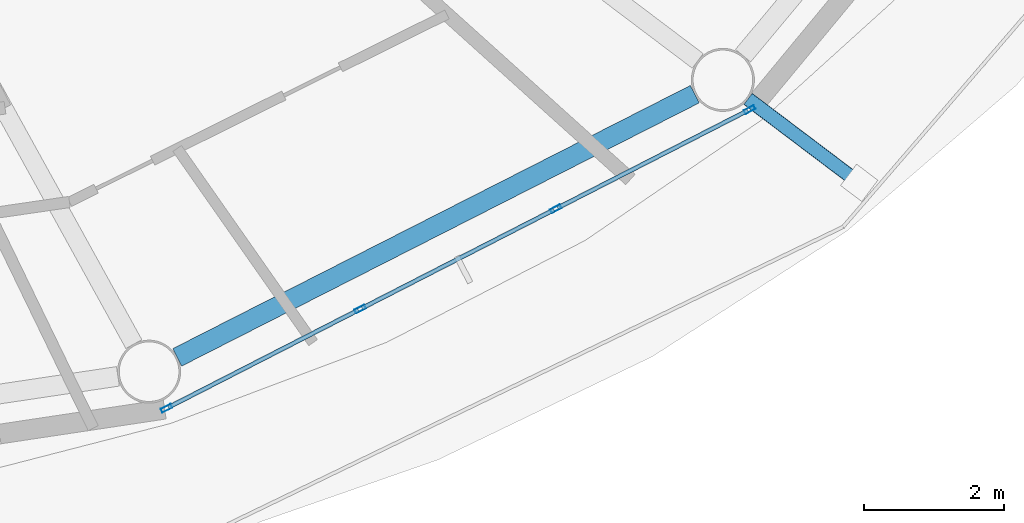
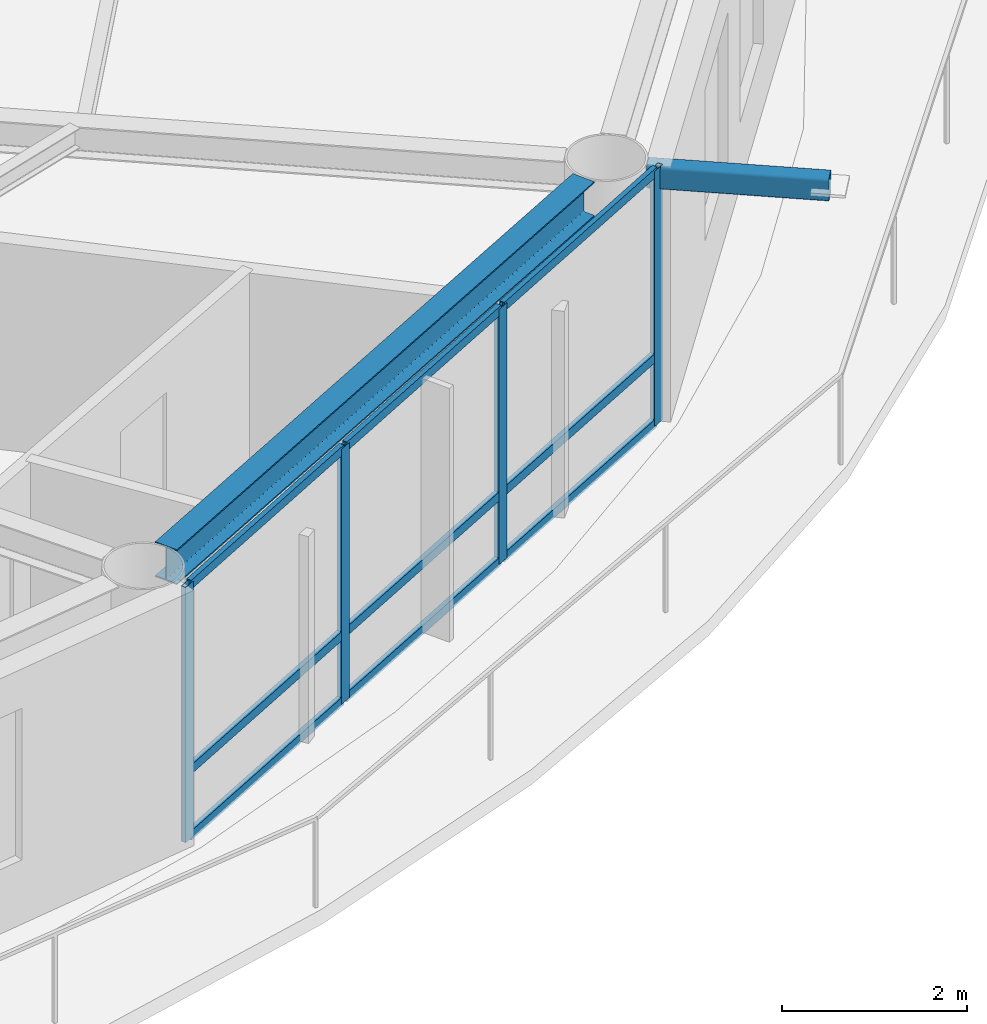
# One storey, part 5 of 22: 14 members, 1 beam, 1 element without a shape of its own.
"""IFC4 building model written with IfcOpenShell, lengths in metres."""

from ifc_helpers import new_model, si_unit, direction, frame, origin, origin_2d, place, context, subcontext, project, spatial, hollow_rectangle, i_section, extrude, material, layer, layer_set, material_profile, profile_set, type_object, element, aggregate, save


model = new_model("IFC4")

# Units and contexts
model_context = context("Model", 3, precision=1e-05, world=origin(), true_north=direction((0.0, 1.0)))
body_context = subcontext(model_context, "Body", "Model", "MODEL_VIEW")
ifc_project = project(units=[si_unit("LENGTHUNIT", "METRE"), si_unit("AREAUNIT", "SQUARE_METRE"), si_unit("VOLUMEUNIT", "CUBIC_METRE"), si_unit("PLANEANGLEUNIT", "RADIAN"), si_unit("MASSUNIT", "GRAM", prefix="KILO")], contexts=[model_context])

# Site, building, storey
site_placement = place(None, origin())
site = spatial("IfcSite", under=ifc_project, at=site_placement, CompositionType="ELEMENT")
building_placement = place(site_placement, origin())
building = spatial("IfcBuilding", under=site, at=building_placement, Name="Sarneth Arch Tower", CompositionType="ELEMENT")
storey_placement = place(building_placement, frame((0.0, 0.0, 294.60009765625)))
storey = spatial("IfcBuildingStorey", under=building, at=storey_placement, Name="L76", CompositionType="ELEMENT", Elevation=294.60009765625)

# Beam
ifc_material_1 = material(Name="Steel S355", Category="steel")
ifc_material_profile_1 = material_profile(ifc_material_1, i_section(OverallWidth=0.280029296875, OverallDepth=0.462890625, WebThickness=0.0107421875, FlangeThickness=0.017333984375, FilletRadius=0.01806640625, at=origin_2d()), Name="W460x113")
ifc_profile_set_1 = profile_set([ifc_material_profile_1], Name="Steel S355")
beam_type = type_object("IfcBeamType", Name="BM-RAD-460A", PredefinedType="BEAM", material=ifc_profile_set_1)
beam_placement = place(storey_placement, frame((58.19189453125, 24.465576171875, 3.138427734375), z_axis=(0.891376248079, 0.453264144138, 0.0), x_axis=(-0.453264144138, 0.891376248079, 0.0)))
element("IfcBeam", 1, at=beam_placement, inside=storey, type_object=beam_type, Name="L76 Perimeter spandrel beam 14", PredefinedType="BEAM", context=body_context, shape_type="SweptSolid", body=[
    extrude(i_section(OverallWidth=0.280029296875, OverallDepth=0.462890625, WebThickness=0.0107421875, FlangeThickness=0.017333984375, FilletRadius=0.01806640625, at=origin_2d()), origin(), (0.0, 0.0, 1.0), 8.281982421875),
])

# Curtain wall, members
ifc_material_2 = material(Name="Anodised aluminium Type AA25 and solar-control low-e laminated IGU", Category="aluminium")
ifc_layer = layer(ifc_material_2, 0.179931640625)
ifc_layer_set = layer_set([ifc_layer], Name="Anodised aluminium Type AA25 and solar-control low-e laminated IGU")
curtain_wall_type = type_object("IfcCurtainWallType", Name="CW-RES-HIGH", PredefinedType="NOTDEFINED", material=ifc_layer_set)
curtain_wall_placement = place(storey_placement, origin())
curtain_wall = element("IfcCurtainWall", 2, at=curtain_wall_placement, inside=storey, type_object=curtain_wall_type, Name="L76 Unitised curtain wall facet 14", PredefinedType="NOTDEFINED")
ifc_material_3 = material(Name="Anodised Aluminium 6063-T6", Category="aluminium")
ifc_material_profile_2 = material_profile(ifc_material_3, hollow_rectangle(XDim=0.06005859375, YDim=0.159912109375, WallThickness=0.00390625, at=origin_2d()), Name="AL-MULL-160x60x4")
ifc_profile_set_2 = profile_set([ifc_material_profile_2], Name="Anodised Aluminium 6063-T6")
member_type_1 = type_object("IfcMemberType", Name="CW-MULLION", PredefinedType="MULLION", material=ifc_profile_set_2)
member_1_placement = place(storey_placement, frame((58.039306640625, 23.7392578125, 0.0), z_axis=(0.0, 0.0, 1.0), x_axis=(-0.455941901753, 0.890009540525, 0.0)))
member_1 = element("IfcMember", 3, at=member_1_placement, type_object=member_type_1, Name="CW-SYS-6 mullion 1", PredefinedType="MULLION", context=body_context, shape_type="SweptSolid", body=[
    extrude(hollow_rectangle(XDim=0.06005859375, YDim=0.159912109375, WallThickness=0.00390625, at=origin_2d()), origin(), (0.0, 0.0, 1.0), 3.369873046875),
])
member_2_placement = place(storey_placement, frame((60.802490234375, 25.155029296875, 0.0), z_axis=(0.0, 0.0, 1.0), x_axis=(-0.455941901753, 0.890009540525, 0.0)))
member_2 = element("IfcMember", 4, at=member_2_placement, type_object=member_type_1, Name="CW-SYS-6 mullion 2", PredefinedType="MULLION", context=body_context, shape_type="SweptSolid", body=[
    extrude(hollow_rectangle(XDim=0.06005859375, YDim=0.159912109375, WallThickness=0.00390625, at=origin_2d()), origin(), (0.0, 0.0, 1.0), 3.369873046875),
])
member_3_placement = place(storey_placement, frame((63.592529296875, 26.584228515625, 0.0), z_axis=(0.0, 0.0, 1.0), x_axis=(-0.455941901753, 0.890009540525, 0.0)))
member_3 = element("IfcMember", 5, at=member_3_placement, type_object=member_type_1, Name="CW-SYS-6 mullion 3", PredefinedType="MULLION", context=body_context, shape_type="SweptSolid", body=[
    extrude(hollow_rectangle(XDim=0.06005859375, YDim=0.159912109375, WallThickness=0.00390625, at=origin_2d()), origin(), (0.0, 0.0, 1.0), 3.369873046875),
])
member_4_placement = place(storey_placement, frame((66.355712890625, 27.999755859375, 0.0), z_axis=(0.0, 0.0, 1.0), x_axis=(-0.455941901753, 0.890009540525, 0.0)))
member_4 = element("IfcMember", 6, at=member_4_placement, type_object=member_type_1, Name="CW-SYS-6 mullion 4", PredefinedType="MULLION", context=body_context, shape_type="SweptSolid", body=[
    extrude(hollow_rectangle(XDim=0.06005859375, YDim=0.159912109375, WallThickness=0.00390625, at=origin_2d()), origin(), (0.0, 0.0, 1.0), 3.369873046875),
])
ifc_material_4 = material(Name="Anodised Aluminium 6063-T6", Category="aluminium")
ifc_material_profile_3 = material_profile(ifc_material_4, hollow_rectangle(XDim=0.06005859375, YDim=0.1201171875, WallThickness=0.00390625, at=origin_2d()), Name="AL-TRAN-120x60x4")
ifc_profile_set_3 = profile_set([ifc_material_profile_3], Name="Anodised Aluminium 6063-T6")
member_type_2 = type_object("IfcMemberType", Name="CW-TRANSOM", PredefinedType="USERDEFINED", material=ifc_profile_set_3)
member_5_placement = place(storey_placement, frame((58.066162109375, 23.7529296875, 0.02978515625), z_axis=(0.889973523166, 0.456012201662, 0.0), x_axis=(-0.456012201662, 0.889973523166, 0.0)))
member_5 = element("IfcMember", 7, at=member_5_placement, type_object=member_type_2, Name="CW-SYS-6 transom 1.1", ObjectType="TRANSOM", PredefinedType="USERDEFINED", context=body_context, shape_type="SweptSolid", body=[
    extrude(hollow_rectangle(XDim=0.06005859375, YDim=0.1201171875, WallThickness=0.00390625, at=origin_2d()), origin(), (0.0, 0.0, 1.0), 3.044677734375),
])
member_6_placement = place(storey_placement, frame((58.066162109375, 23.7529296875, 0.89990234375), z_axis=(0.889973523166, 0.456012201662, 0.0), x_axis=(-0.456012201662, 0.889973523166, 0.0)))
member_6 = element("IfcMember", 8, at=member_6_placement, type_object=member_type_2, Name="CW-SYS-6 transom 1.2", ObjectType="TRANSOM", PredefinedType="USERDEFINED", context=body_context, shape_type="SweptSolid", body=[
    extrude(hollow_rectangle(XDim=0.06005859375, YDim=0.1201171875, WallThickness=0.00390625, at=origin_2d()), origin(), (0.0, 0.0, 1.0), 3.044677734375),
])
member_7_placement = place(storey_placement, frame((58.066162109375, 23.7529296875, 3.33984375), z_axis=(0.889973523166, 0.456012201662, 0.0), x_axis=(-0.456012201662, 0.889973523166, 0.0)))
member_7 = element("IfcMember", 9, at=member_7_placement, type_object=member_type_2, Name="CW-SYS-6 transom 1.3", ObjectType="TRANSOM", PredefinedType="USERDEFINED", context=body_context, shape_type="SweptSolid", body=[
    extrude(hollow_rectangle(XDim=0.06005859375, YDim=0.1201171875, WallThickness=0.00390625, at=origin_2d()), origin(), (0.0, 0.0, 1.0), 3.044677734375),
])
member_8_placement = place(storey_placement, frame((60.829345703125, 25.168701171875, 0.02978515625), z_axis=(0.890017432405, 0.455926496286, 0.0), x_axis=(-0.455926496286, 0.890017432405, 0.0)))
member_8 = element("IfcMember", 10, at=member_8_placement, type_object=member_type_2, Name="CW-SYS-6 transom 2.1", ObjectType="TRANSOM", PredefinedType="USERDEFINED", context=body_context, shape_type="SweptSolid", body=[
    extrude(hollow_rectangle(XDim=0.06005859375, YDim=0.1201171875, WallThickness=0.00390625, at=origin_2d()), origin(), (0.0, 0.0, 1.0), 3.07470703125),
])
member_9_placement = place(storey_placement, frame((60.829345703125, 25.168701171875, 0.89990234375), z_axis=(0.890017432405, 0.455926496286, 0.0), x_axis=(-0.455926496286, 0.890017432405, 0.0)))
member_9 = element("IfcMember", 11, at=member_9_placement, type_object=member_type_2, Name="CW-SYS-6 transom 2.2", ObjectType="TRANSOM", PredefinedType="USERDEFINED", context=body_context, shape_type="SweptSolid", body=[
    extrude(hollow_rectangle(XDim=0.06005859375, YDim=0.1201171875, WallThickness=0.00390625, at=origin_2d()), origin(), (0.0, 0.0, 1.0), 3.07470703125),
])
member_10_placement = place(storey_placement, frame((60.829345703125, 25.168701171875, 3.33984375), z_axis=(0.890017432405, 0.455926496286, 0.0), x_axis=(-0.455926496286, 0.890017432405, 0.0)))
member_10 = element("IfcMember", 12, at=member_10_placement, type_object=member_type_2, Name="CW-SYS-6 transom 2.3", ObjectType="TRANSOM", PredefinedType="USERDEFINED", context=body_context, shape_type="SweptSolid", body=[
    extrude(hollow_rectangle(XDim=0.06005859375, YDim=0.1201171875, WallThickness=0.00390625, at=origin_2d()), origin(), (0.0, 0.0, 1.0), 3.07470703125),
])
member_11_placement = place(storey_placement, frame((63.619140625, 26.597900390625, 0.02978515625), z_axis=(0.890022732705, 0.455916149384, 0.0), x_axis=(-0.455916149384, 0.890022732705, 0.0)))
member_11 = element("IfcMember", 13, at=member_11_placement, type_object=member_type_2, Name="CW-SYS-6 transom 3.1", ObjectType="TRANSOM", PredefinedType="USERDEFINED", context=body_context, shape_type="SweptSolid", body=[
    extrude(hollow_rectangle(XDim=0.06005859375, YDim=0.1201171875, WallThickness=0.00390625, at=origin_2d()), origin(), (0.0, 0.0, 1.0), 3.044921875),
])
member_12_placement = place(storey_placement, frame((63.619140625, 26.597900390625, 0.89990234375), z_axis=(0.890022732705, 0.455916149384, 0.0), x_axis=(-0.455916149384, 0.890022732705, 0.0)))
member_12 = element("IfcMember", 14, at=member_12_placement, type_object=member_type_2, Name="CW-SYS-6 transom 3.2", ObjectType="TRANSOM", PredefinedType="USERDEFINED", context=body_context, shape_type="SweptSolid", body=[
    extrude(hollow_rectangle(XDim=0.06005859375, YDim=0.1201171875, WallThickness=0.00390625, at=origin_2d()), origin(), (0.0, 0.0, 1.0), 3.044921875),
])
member_13_placement = place(storey_placement, frame((63.619140625, 26.597900390625, 3.33984375), z_axis=(0.890022732705, 0.455916149384, 0.0), x_axis=(-0.455916149384, 0.890022732705, 0.0)))
member_13 = element("IfcMember", 15, at=member_13_placement, type_object=member_type_2, Name="CW-SYS-6 transom 3.3", ObjectType="TRANSOM", PredefinedType="USERDEFINED", context=body_context, shape_type="SweptSolid", body=[
    extrude(hollow_rectangle(XDim=0.06005859375, YDim=0.1201171875, WallThickness=0.00390625, at=origin_2d()), origin(), (0.0, 0.0, 1.0), 3.044921875),
])
aggregate(curtain_wall, [member_1, member_2, member_3, member_4, member_5, member_6, member_7, member_8, member_9, member_10, member_11, member_12, member_13])

# Member
ifc_material_5 = material(Name="Steel S355", Category="steel")
ifc_material_profile_4 = material_profile(ifc_material_5, hollow_rectangle(XDim=0.199951171875, YDim=0.300048828125, WallThickness=0.012451171875, InnerFilletRadius=0.018798828125, OuterFilletRadius=0.03125, at=origin_2d()), Name="RHS300x200x12.5")
ifc_profile_set_4 = profile_set([ifc_material_profile_4], Name="Steel S355")
member_type_3 = type_object("IfcMemberType", Name="MEM-CANT-STRUT", PredefinedType="STRUT", material=ifc_profile_set_4)
member_14_placement = place(storey_placement, frame((66.334228515625, 28.15234375, 3.2099609375), z_axis=(0.797960563067, -0.60270966459, 0.0), x_axis=(0.60270966459, 0.797960563067, 0.0)))
element("IfcMember", 16, at=member_14_placement, inside=storey, type_object=member_type_3, Name="L76 Balcony cantilever bracket 15", PredefinedType="STRUT", context=body_context, shape_type="SweptSolid", body=[
    extrude(hollow_rectangle(XDim=0.199951171875, YDim=0.300048828125, WallThickness=0.012451171875, InnerFilletRadius=0.018798828125, OuterFilletRadius=0.03125, at=origin_2d()), origin(), (0.0, 0.0, 1.0), 1.98681640625),
])

save(model, "model.ifc")
